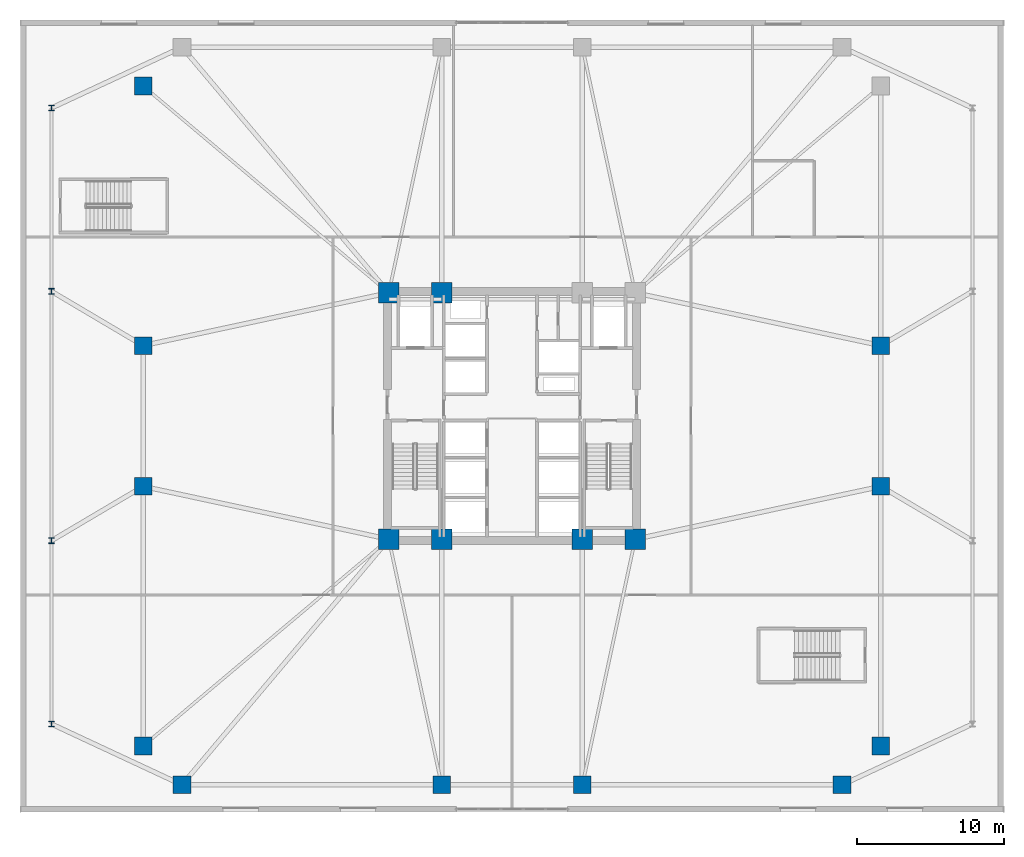
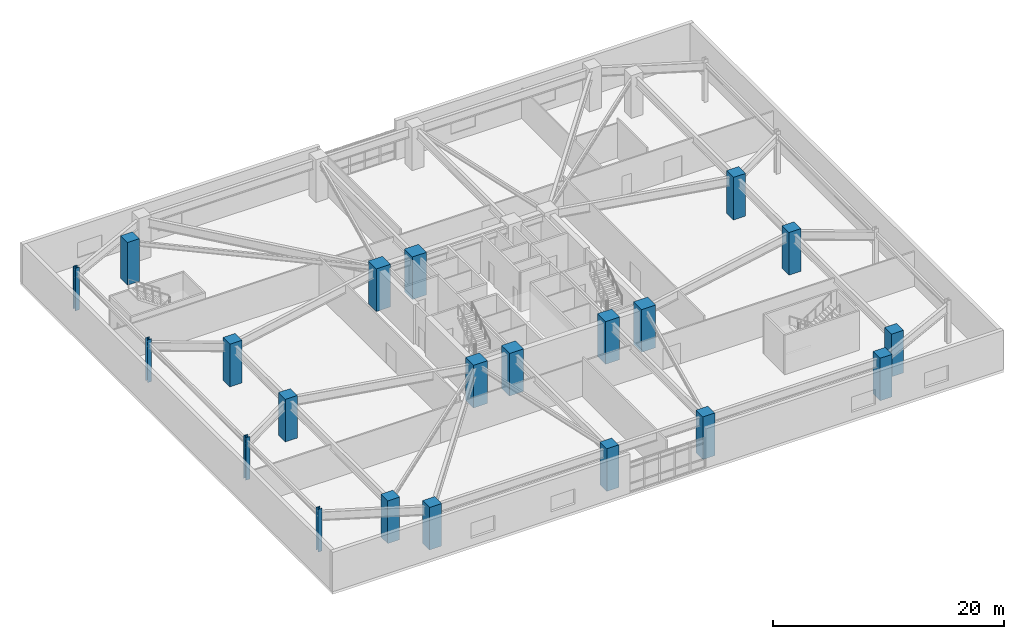
# One storey, part 1 of 21: 21 columns.
"""IFC4 building model written with IfcOpenShell, lengths in metres."""

from ifc_helpers import new_model, si_unit, direction, frame, origin, origin_2d, place, context, subcontext, project, spatial, rectangle, i_section, extrude, material, material_profile, profile_set, type_object, element, save


model = new_model("IFC4")

# Units and contexts
model_context = context("Model", 3, precision=1e-05, world=origin(), true_north=direction((0.0, 1.0)))
body_context = subcontext(model_context, "Body", "Model", "MODEL_VIEW")
ifc_project = project(units=[si_unit("LENGTHUNIT", "METRE"), si_unit("AREAUNIT", "SQUARE_METRE"), si_unit("VOLUMEUNIT", "CUBIC_METRE"), si_unit("PLANEANGLEUNIT", "RADIAN"), si_unit("MASSUNIT", "GRAM", prefix="KILO")], contexts=[model_context])

# Site, building, storey
site_placement = place(None, origin())
site = spatial("IfcSite", under=ifc_project, at=site_placement, CompositionType="ELEMENT")
building_placement = place(site_placement, origin())
building = spatial("IfcBuilding", under=site, at=building_placement, Name="Cairnveth Concourse Tower", CompositionType="ELEMENT")
storey_placement = place(building_placement, frame((0.0, 0.0, 14.5)))
storey = spatial("IfcBuildingStorey", under=building, at=storey_placement, Name="L03", CompositionType="ELEMENT", Elevation=14.5)

# Columns
ifc_material_1 = material(Name="Concrete N80 (80 MPa)", Category="concrete")
ifc_material_profile_1 = material_profile(ifc_material_1, rectangle(XDim=1.39990234375, YDim=1.39990234375, at=origin_2d()), Name="RC-COL-1400x1400")
ifc_profile_set_1 = profile_set([ifc_material_profile_1], Name="Concrete N80 (80 MPa)")
column_type_1 = type_object("IfcColumnType", Name="CORE COLUMN 1400X1400", PredefinedType="COLUMN", material=ifc_profile_set_1)
for number, where, z_axis, x_axis, name in (
    (1, (43.60009765625, 30.60009765625, 0.0), (0.0, 0.0, 1.0), (1.0, 0.0, 0.0), "Column CC1 L03"),
    (2, (47.199951171875, 30.60009765625, 0.0), (0.0, 0.0, 1.0), (1.0, 0.0, 0.0), "Column CC2 L03"),
    (3, (56.800048828125, 30.60009765625, 0.0), (0.0, 0.0, 1.0), (1.0, 0.0, 0.0), "Column CC3 L03"),
    (4, (60.39990234375, 30.60009765625, 0.0), (0.0, 0.0, 1.0), (1.0, 0.0, 0.0), "Column CC4 L03"),
    (5, (43.60009765625, 47.39990234375, 0.0), (0.0, 0.0, 1.0), (1.0, 0.0, 0.0), "Column CC5 L03"),
    (6, (47.199951171875, 47.39990234375, 0.0), (0.0, 0.0, 1.0), (1.0, 0.0, 0.0), "Column CC6 L03"),
):
    element("IfcColumn", number, at=place(storey_placement, frame(where, z_axis=z_axis, x_axis=x_axis)), inside=storey, type_object=column_type_1, Name=name, PredefinedType="COLUMN", context=body_context, shape_type="SweptSolid", body=[
        extrude(rectangle(XDim=1.39990234375, YDim=1.39990234375, at=origin_2d()), origin(), (0.0, 0.0, 1.0), 4.5),
    ])
ifc_material_profile_2 = material_profile(ifc_material_1, rectangle(XDim=1.199951171875, YDim=1.199951171875, at=origin_2d()), Name="RC-COL-1200x1200")
ifc_profile_set_2 = profile_set([ifc_material_profile_2], Name="Concrete N80 (80 MPa)")
column_type_2 = type_object("IfcColumnType", Name="PERIMETER PIER COLUMN 1200X1200", PredefinedType="COLUMN", material=ifc_profile_set_2)
for number, where, z_axis, x_axis, name in (
    (7, (29.5, 13.85009765625, 0.0), (0.0, 0.0, 1.0), (1.0, 0.0, 0.0), "Column Z1-S1 L03"),
    (8, (47.199951171875, 13.85009765625, 0.0), (0.0, 0.0, 1.0), (1.0, 0.0, 0.0), "Column Z1-S2 L03"),
    (9, (56.800048828125, 13.85009765625, 0.0), (0.0, 0.0, 1.0), (1.0, 0.0, 0.0), "Column Z1-S3 L03"),
    (10, (74.5, 13.85009765625, 0.0), (0.0, 0.0, 1.0), (1.0, 0.0, 0.0), "Column Z1-S4 L03"),
    (11, (77.14990234375, 16.5, 0.0), (0.0, 0.0, 1.0), (1.0, 0.0, 0.0), "Column Z1-E1 L03"),
    (12, (77.14990234375, 34.199951171875, 0.0), (0.0, 0.0, 1.0), (1.0, 0.0, 0.0), "Column Z1-E2 L03"),
    (13, (77.14990234375, 43.800048828125, 0.0), (0.0, 0.0, 1.0), (1.0, 0.0, 0.0), "Column Z1-E3 L03"),
    (14, (26.85009765625, 61.5, 0.0), (0.0, 0.0, 1.0), (1.0, 0.0, 0.0), "Column Z1-W1 L03"),
    (15, (26.85009765625, 43.800048828125, 0.0), (0.0, 0.0, 1.0), (1.0, 0.0, 0.0), "Column Z1-W2 L03"),
    (16, (26.85009765625, 34.199951171875, 0.0), (0.0, 0.0, 1.0), (1.0, 0.0, 0.0), "Column Z1-W3 L03"),
    (17, (26.85009765625, 16.5, 0.0), (0.0, 0.0, 1.0), (1.0, 0.0, 0.0), "Column Z1-W4 L03"),
):
    element("IfcColumn", number, at=place(storey_placement, frame(where, z_axis=z_axis, x_axis=x_axis)), inside=storey, type_object=column_type_2, Name=name, PredefinedType="COLUMN", context=body_context, shape_type="SweptSolid", body=[
        extrude(rectangle(XDim=1.199951171875, YDim=1.199951171875, at=origin_2d()), origin(), (0.0, 0.0, 1.0), 4.5),
    ])
ifc_material_2 = material(Name="Steel Grade 350", Category="steel")
ifc_material_profile_3 = material_profile(ifc_material_2, i_section(OverallWidth=0.39990234375, OverallDepth=0.39990234375, WebThickness=0.028076171875, FlangeThickness=0.044921875, at=origin_2d()), Name="400WC328")
ifc_profile_set_3 = profile_set([ifc_material_profile_3], Name="Steel Grade 350")
column_type_3 = type_object("IfcColumnType", Name="WELDED STEEL COLUMN 400WC328", PredefinedType="COLUMN", material=ifc_profile_set_3)
for number, where, z_axis, x_axis, name in (
    (18, (20.60009765625, 18.0, 0.0), (0.0, 0.0, 1.0), (1.0, 0.0, 0.0), "Column PC-W1 L03"),
    (19, (20.60009765625, 30.5, 0.0), (0.0, 0.0, 1.0), (1.0, 0.0, 0.0), "Column PC-W2 L03"),
    (20, (20.60009765625, 47.5, 0.0), (0.0, 0.0, 1.0), (1.0, 0.0, 0.0), "Column PC-W3 L03"),
    (21, (20.60009765625, 60.0, 0.0), (0.0, 0.0, 1.0), (1.0, 0.0, 0.0), "Column PC-W4 L03"),
):
    element("IfcColumn", number, at=place(storey_placement, frame(where, z_axis=z_axis, x_axis=x_axis)), inside=storey, type_object=column_type_3, Name=name, PredefinedType="COLUMN", context=body_context, shape_type="SweptSolid", body=[
        extrude(i_section(OverallWidth=0.39990234375, OverallDepth=0.39990234375, WebThickness=0.028076171875, FlangeThickness=0.044921875, at=origin_2d()), origin(), (0.0, 0.0, 1.0), 4.5),
    ])

save(model, "model.ifc")
